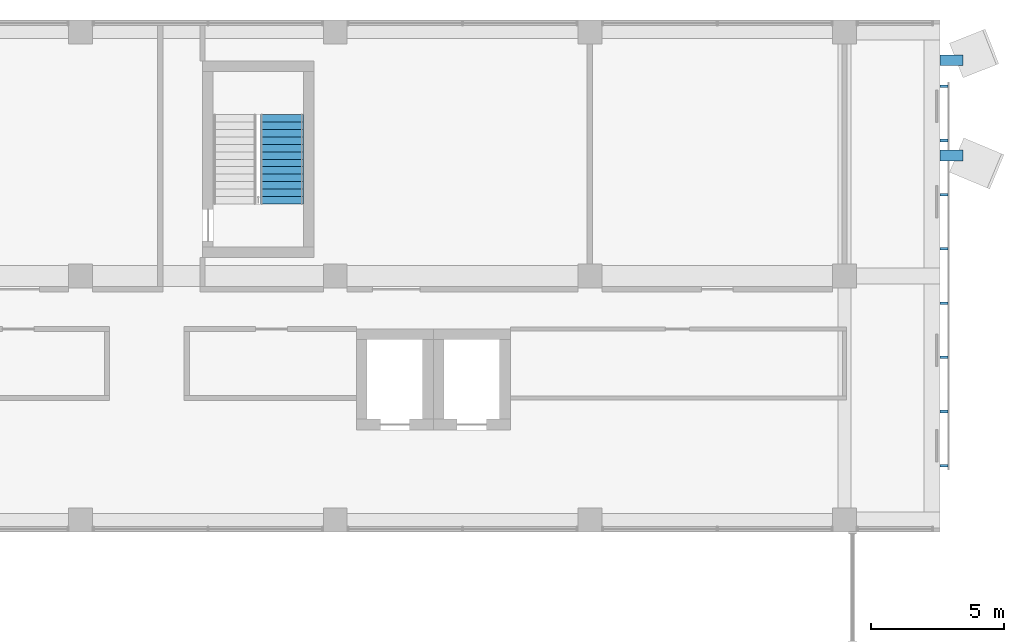
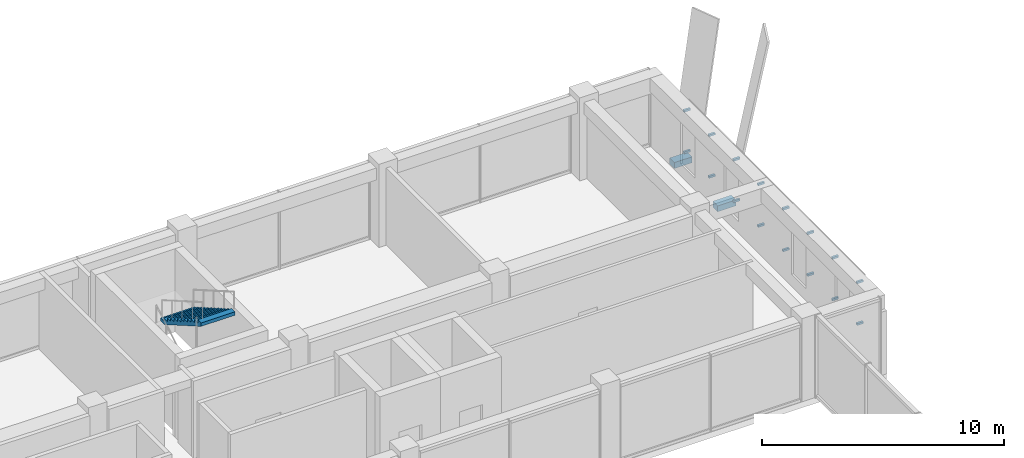
# One storey, part 31 of 37: 18 discrete accessories, 1 stair flight, 1 element without a shape of its own.
"""IFC4 building model written with IfcOpenShell, lengths in metres."""

from ifc_helpers import new_model, si_unit, direction, frame, origin, origin_2d, place, context, subcontext, project, spatial, polyline, rectangle, outline, extrude, material, type_object, element, aggregate, save


model = new_model("IFC4")

# Units and contexts
model_context = context("Model", 3, precision=1e-05, world=origin(), true_north=direction((0.0, 1.0)))
body_context = subcontext(model_context, "Body", "Model", "MODEL_VIEW")
ifc_project = project(units=[si_unit("LENGTHUNIT", "METRE"), si_unit("AREAUNIT", "SQUARE_METRE"), si_unit("VOLUMEUNIT", "CUBIC_METRE"), si_unit("PLANEANGLEUNIT", "RADIAN"), si_unit("MASSUNIT", "GRAM", prefix="KILO")], contexts=[model_context])

# Site, building, storey
site_placement = place(None, origin())
site = spatial("IfcSite", under=ifc_project, at=site_placement, CompositionType="ELEMENT")
building_placement = place(site_placement, origin())
building = spatial("IfcBuilding", under=site, at=building_placement, Name="Nzadi Deep Aquarium and Research Tower", CompositionType="ELEMENT")
storey_placement = place(building_placement, frame((0.0, 0.0, 57.10009765625)))
storey = spatial("IfcBuildingStorey", under=building, at=storey_placement, Name="L11", CompositionType="ELEMENT", Elevation=57.10009765625)

# Stair, stair flight
ifc_material_1 = material(Name="Concrete C35/45", Category="concrete")
stair_type = type_object("IfcStairType", Name="STAIR RETURN 3000", PredefinedType="NOTDEFINED", material=ifc_material_1)
stair_placement = place(storey_placement, origin())
stair = element("IfcStair", 1, at=stair_placement, inside=storey, type_object=stair_type, Name="Stair ST-Z1-NE L11", PredefinedType="HALF_TURN_STAIR")
ifc_material_2 = material(Name="Concrete C35/45", Category="concrete")
stair_flight_type = type_object("IfcStairFlightType", Name="FLIGHT 1625 13 RISERS 161.5 GOING 280", PredefinedType="STRAIGHT", material=ifc_material_2)
stair_flight_placement = place(storey_placement, frame((26.78759765625, 42.8798828125, 2.099853515625), z_axis=(0.0, 0.0, 1.0), x_axis=(0.0, -1.0, 0.0)))
stair_flight = element("IfcStairFlight", 2, at=stair_flight_placement, type_object=stair_flight_type, Name="ST-Z1-NE flight 2", NumberOfRisers=13, NumberOfTreads=12, PredefinedType="STRAIGHT", RiserHeight=0.161538462, TreadLength=0.28, context=body_context, shape_type="SweptSolid", body=[
    extrude(outline(polyline([(0.0, 0.0), (0.0, 0.16162109375), (0.280029296875, 0.16162109375), (0.280029296875, 0.322998046875), (0.56005859375, 0.322998046875), (0.56005859375, 0.484619140625), (0.840087890625, 0.484619140625), (0.840087890625, 0.646240234375), (1.1201171875, 0.646240234375), (1.1201171875, 0.8076171875), (1.39990234375, 0.8076171875), (1.39990234375, 0.96923828125), (1.679931640625, 0.96923828125), (1.679931640625, 1.130859375), (1.9599609375, 1.130859375), (1.9599609375, 1.292236328125), (2.239990234375, 1.292236328125), (2.239990234375, 1.453857421875), (2.52001953125, 1.453857421875), (2.52001953125, 1.615478515625), (2.800048828125, 1.615478515625), (2.800048828125, 1.77685546875), (3.080078125, 1.77685546875), (3.080078125, 1.9384765625), (3.360107421875, 1.9384765625), (3.360107421875, 2.10009765625), (3.360107421875, 1.765380859375), (0.300048828125, 0.0), (0.0, 0.0)])), frame((0.0, 0.8125, 0.0), z_axis=(0.0, -1.0, 0.0), x_axis=(1.0, 0.0, 0.0)), (0.0, 0.0, 1.0), 1.625),
])
aggregate(stair, [stair_flight])

# Discrete accessories
for number, where, z_axis, x_axis, name in (
    (3, (51.75, 29.64990234375, 0.949951171875), (0.0, 0.0, 1.0), (1.0, 0.0, 0.0), "Screen bracket L11"),
    (4, (51.75, 29.64990234375, 3.0498046875), (0.0, 0.0, 1.0), (1.0, 0.0, 0.0), "Screen bracket L11"),
    (5, (51.75, 31.69287109375, 0.949951171875), (0.0, 0.0, 1.0), (1.0, 0.0, 0.0), "Screen bracket L11"),
    (6, (51.75, 31.69287109375, 3.0498046875), (0.0, 0.0, 1.0), (1.0, 0.0, 0.0), "Screen bracket L11"),
    (7, (51.75, 33.735595703125, 0.949951171875), (0.0, 0.0, 1.0), (1.0, 0.0, 0.0), "Screen bracket L11"),
    (8, (51.75, 33.735595703125, 3.0498046875), (0.0, 0.0, 1.0), (1.0, 0.0, 0.0), "Screen bracket L11"),
    (9, (51.75, 35.778564453125, 0.949951171875), (0.0, 0.0, 1.0), (1.0, 0.0, 0.0), "Screen bracket L11"),
    (10, (51.75, 35.778564453125, 3.0498046875), (0.0, 0.0, 1.0), (1.0, 0.0, 0.0), "Screen bracket L11"),
    (11, (51.75, 37.8212890625, 0.949951171875), (0.0, 0.0, 1.0), (1.0, 0.0, 0.0), "Screen bracket L11"),
    (12, (51.75, 37.8212890625, 3.0498046875), (0.0, 0.0, 1.0), (1.0, 0.0, 0.0), "Screen bracket L11"),
    (13, (51.75, 39.8642578125, 0.949951171875), (0.0, 0.0, 1.0), (1.0, 0.0, 0.0), "Screen bracket L11"),
    (14, (51.75, 39.8642578125, 3.0498046875), (0.0, 0.0, 1.0), (1.0, 0.0, 0.0), "Screen bracket L11"),
    (15, (51.75, 41.906982421875, 0.949951171875), (0.0, 0.0, 1.0), (1.0, 0.0, 0.0), "Screen bracket L11"),
    (16, (51.75, 41.906982421875, 3.0498046875), (0.0, 0.0, 1.0), (1.0, 0.0, 0.0), "Screen bracket L11"),
    (17, (51.75, 43.949951171875, 0.949951171875), (0.0, 0.0, 1.0), (1.0, 0.0, 0.0), "Screen bracket L11"),
    (18, (51.75, 43.949951171875, 3.0498046875), (0.0, 0.0, 1.0), (1.0, 0.0, 0.0), "Screen bracket L11"),
):
    element("IfcDiscreteAccessory", number, at=place(storey_placement, frame(where, z_axis=z_axis, x_axis=x_axis)), inside=storey, Name=name, PredefinedType="BRACKET", context=body_context, shape_type="SweptSolid", body=[
        extrude(rectangle(XDim=0.300048828125, YDim=0.10009765625, at=origin_2d()), origin(), (0.0, 0.0, 1.0), 0.10009765625),
    ])
discrete_accessory_1_placement = place(storey_placement, frame((52.03515625, 41.340087890625, -0.30029296875), z_axis=(0.0, 0.0, 1.0), x_axis=(1.0, 0.0, 0.0)))
element("IfcDiscreteAccessory", 19, at=discrete_accessory_1_placement, inside=storey, Name="Fold blade bracket", PredefinedType="BRACKET", context=body_context, shape_type="SweptSolid", body=[
    extrude(rectangle(XDim=0.8701171875, YDim=0.39990234375, at=origin_2d()), origin(), (0.0, 0.0, 1.0), 0.300048828125),
])
discrete_accessory_2_placement = place(storey_placement, frame((52.0283203125, 44.93994140625, -0.30029296875), z_axis=(0.0, 0.0, 1.0), x_axis=(1.0, 0.0, 0.0)))
element("IfcDiscreteAccessory", 20, at=discrete_accessory_2_placement, inside=storey, Name="Fold blade bracket", PredefinedType="BRACKET", context=body_context, shape_type="SweptSolid", body=[
    extrude(rectangle(XDim=0.856689453125, YDim=0.39990234375, at=origin_2d()), origin(), (0.0, 0.0, 1.0), 0.300048828125),
])

save(model, "model.ifc")
